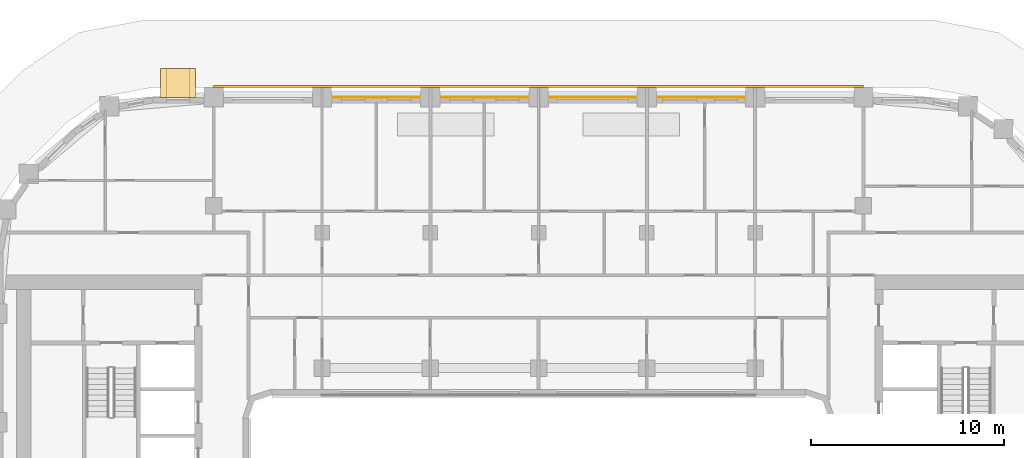
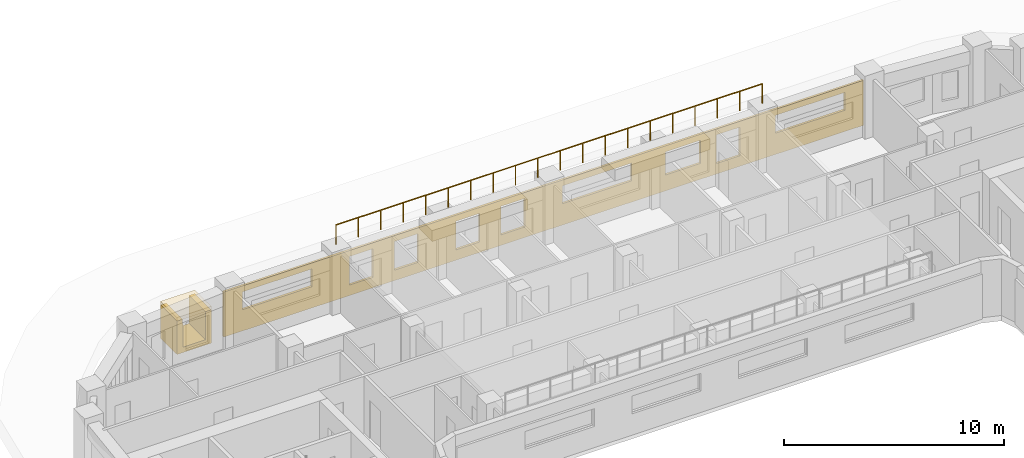
# One storey, part 16 of 17: 3 coverings, 1 railing.
"""IFC4 building model written with IfcOpenShell, lengths in metres."""

from ifc_helpers import new_model, si_unit, direction, frame, origin, origin_2d, place, context, subcontext, project, spatial, polyline, rectangle, circle, outline, extrude, material, layer, layer_set, type_object, element, save


model = new_model("IFC4")

# Units and contexts
model_context = context("Model", 3, precision=1e-05, world=origin(), true_north=direction((0.0, 1.0)))
body_context = subcontext(model_context, "Body", "Model", "MODEL_VIEW")
ifc_project = project(units=[si_unit("LENGTHUNIT", "METRE"), si_unit("AREAUNIT", "SQUARE_METRE"), si_unit("VOLUMEUNIT", "CUBIC_METRE"), si_unit("PLANEANGLEUNIT", "RADIAN"), si_unit("MASSUNIT", "GRAM", prefix="KILO")], contexts=[model_context])

# Site, building, storey
site_placement = place(None, origin())
site = spatial("IfcSite", under=ifc_project, at=site_placement, CompositionType="ELEMENT")
building_placement = place(site_placement, origin())
building = spatial("IfcBuilding", under=site, at=building_placement, Name="Kiln Ring Residences", CompositionType="ELEMENT")
storey_placement = place(building_placement, frame((0.0, 0.0, 174.60009765625)))
storey = spatial("IfcBuildingStorey", under=building, at=storey_placement, Name="L45", CompositionType="ELEMENT", Elevation=174.60009765625)

# Coverings
ifc_material_1 = material(Name="Brick masonry, dark clay brick", Category="masonry")
ifc_layer_1 = layer(ifc_material_1, 0.300048828125)
ifc_layer_set_1 = layer_set([ifc_layer_1], Name="FRAME CHEEKS AND SILL 1500")
covering_type_1 = type_object("IfcCoveringType", Name="FRAME CHEEKS AND SILL 1500", PredefinedType="CLADDING", material=ifc_layer_set_1)
covering_1_placement = place(storey_placement, frame((-17.75, 23.14990234375, 0.2998046875), z_axis=(0.0, 0.0, 1.0), x_axis=(-1.0, 0.0, 0.0)))
element("IfcCovering", 1, at=covering_1_placement, inside=storey, type_object=covering_type_1, Name="FRAME L45", PredefinedType="CLADDING", context=body_context, shape_type="SweptSolid", body=[
    extrude(outline(polyline([(0.0, 0.0), (1.800048828125, 0.0), (1.800048828125, 1.85009765625), (1.5009765625, 1.85009765625), (1.5, 0.300048828125), (0.300048828125, 0.300048828125), (0.299072265625, 1.85009765625), (0.0, 1.85009765625), (0.0, 0.0)])), frame((0.0, 0.75, 0.0), z_axis=(0.0, -1.0, 0.0), x_axis=(1.0, 0.0, 0.0)), (0.0, 0.0, 1.0), 1.5),
])
ifc_material_2 = material(Name="Brick masonry, dark clay brick", Category="masonry")
ifc_layer_2 = layer(ifc_material_2, 0.199951171875)
ifc_layer_set_2 = layer_set([ifc_layer_2], Name="FRAME HEAD 1500")
covering_type_2 = type_object("IfcCoveringType", Name="FRAME HEAD 1500", PredefinedType="CLADDING", material=ifc_layer_set_2)
covering_2_placement = place(storey_placement, frame((-18.64990234375, 23.14990234375, 2.14990234375), z_axis=(0.0, 0.0, 1.0), x_axis=(-1.0, 0.0, 0.0)))
element("IfcCovering", 2, at=covering_2_placement, inside=storey, type_object=covering_type_2, Name="FRAME HEAD L45", PredefinedType="CLADDING", context=body_context, shape_type="SweptSolid", body=[
    extrude(rectangle(XDim=1.800048828125, YDim=1.5, at=origin_2d()), origin(), (0.0, 0.0, 1.0), 0.199951171875),
])
ifc_material_3 = material(Name="Brick masonry, dark clay brick", Category="masonry")
ifc_layer_3 = layer(ifc_material_3, 0.1201171875)
ifc_layer_set_3 = layer_set([ifc_layer_3], Name="RAINSCREEN PANEL 120")
covering_type_3 = type_object("IfcCoveringType", Name="RAINSCREEN PANEL 120", PredefinedType="CLADDING", material=ifc_layer_set_3)
covering_3_placement = place(storey_placement, frame((16.800048828125, 22.9599609375, 0.0), z_axis=(0.0, 0.0, 1.0), x_axis=(-1.0, 0.0, 0.0)))
element("IfcCovering", 3, at=covering_3_placement, inside=storey, type_object=covering_type_3, Name="RAINSCREEN L45", PredefinedType="CLADDING", context=body_context, shape_type="SweptSolid", body=[
    extrude(outline(polyline([(0.0, 0.0), (33.60009765625, 0.0), (33.60009765625, 2.5), (0.0, 2.5), (0.0, 0.0)]), holes=[polyline([(6.492431640625, 0.579833984375), (7.732421875, 0.579833984375), (7.732421875, 2.169921875), (6.492431640625, 2.169921875), (6.492431640625, 0.579833984375)]), polyline([(17.79248046875, 0.579833984375), (19.032470703125, 0.579833984375), (19.032470703125, 2.169921875), (17.79248046875, 2.169921875), (17.79248046875, 0.579833984375)]), polyline([(20.16748046875, 0.579833984375), (21.407470703125, 0.579833984375), (21.407470703125, 2.169921875), (20.16748046875, 2.169921875), (20.16748046875, 0.579833984375)]), polyline([(23.392578125, 0.579833984375), (24.632568359375, 0.579833984375), (24.632568359375, 2.169921875), (23.392578125, 2.169921875), (23.392578125, 0.579833984375)]), polyline([(25.767578125, 0.579833984375), (27.007568359375, 0.579833984375), (27.007568359375, 2.169921875), (25.767578125, 2.169921875), (25.767578125, 0.579833984375)]), polyline([(8.5673828125, 0.8798828125), (10.407470703125, 0.8798828125), (10.407470703125, 2.169921875), (8.5673828125, 2.169921875), (8.5673828125, 0.8798828125)]), polyline([(0.97998046875, 1.179931640625), (4.6201171875, 1.179931640625), (4.6201171875, 2.169921875), (0.97998046875, 2.169921875), (0.97998046875, 1.179931640625)]), polyline([(12.179931640625, 2.169921875), (12.179931640625, 1.179931640625), (15.820068359375, 1.179931640625), (15.820068359375, 2.169921875), (12.179931640625, 2.169921875)]), polyline([(28.97998046875, 2.169921875), (28.97998046875, 1.179931640625), (32.6201171875, 1.179931640625), (32.6201171875, 2.169921875), (28.97998046875, 2.169921875)])]), frame((0.0, 0.06005859375, 0.0), z_axis=(0.0, -1.0, 0.0), x_axis=(1.0, 0.0, 0.0)), (0.0, 0.0, 1.0), 0.1201171875),
])

# Railing
ifc_material_4 = material(Name="Black powder-coated steel", Category="steel")
railing_type = type_object("IfcRailingType", Name="ROOF GUARD 1100", PredefinedType="GUARDRAIL", material=ifc_material_4)
railing_placement = place(storey_placement, frame((11.199951171875, 22.39990234375, 3.5)))
element("IfcRailing", 4, at=railing_placement, inside=storey, type_object=railing_type, Name="GUARD L45 sky portal terrace", PredefinedType="GUARDRAIL", context=body_context, shape_type="SweptSolid", body=[
    extrude(circle(Radius=0.02392578125, at=origin_2d()), frame((0.0, 0.0, 1.076171875), z_axis=(-1.0, 0.0, 0.0), x_axis=(0.0, -1.0, 0.0)), (0.0, 0.0, 1.0), 22.39990234375),
    extrude(circle(Radius=0.02099609375, at=origin_2d()), origin(), (0.0, 0.0, 1.0), 1.052001953125),
    extrude(circle(Radius=0.02099609375, at=origin_2d()), frame((-1.178955078125, 0.0, 0.0)), (0.0, 0.0, 1.0), 1.052001953125),
    extrude(circle(Radius=0.02099609375, at=origin_2d()), frame((-2.35791015625, 0.0, 0.0)), (0.0, 0.0, 1.0), 1.052001953125),
    extrude(circle(Radius=0.02099609375, at=origin_2d()), frame((-3.536865234375, 0.0, 0.0)), (0.0, 0.0, 1.0), 1.052001953125),
    extrude(circle(Radius=0.02099609375, at=origin_2d()), frame((-4.7158203125, 0.0, 0.0)), (0.0, 0.0, 1.0), 1.052001953125),
    extrude(circle(Radius=0.02099609375, at=origin_2d()), frame((-5.894775390625, 0.0, 0.0)), (0.0, 0.0, 1.0), 1.052001953125),
    extrude(circle(Radius=0.02099609375, at=origin_2d()), frame((-7.07373046875, 0.0, 0.0)), (0.0, 0.0, 1.0), 1.052001953125),
    extrude(circle(Radius=0.02099609375, at=origin_2d()), frame((-8.252685546875, 0.0, 0.0)), (0.0, 0.0, 1.0), 1.052001953125),
    extrude(circle(Radius=0.02099609375, at=origin_2d()), frame((-9.431640625, 0.0, 0.0)), (0.0, 0.0, 1.0), 1.052001953125),
    extrude(circle(Radius=0.02099609375, at=origin_2d()), frame((-10.610595703125, 0.0, 0.0)), (0.0, 0.0, 1.0), 1.052001953125),
    extrude(circle(Radius=0.02099609375, at=origin_2d()), frame((-11.789306640625, 0.0, 0.0)), (0.0, 0.0, 1.0), 1.052001953125),
    extrude(circle(Radius=0.02099609375, at=origin_2d()), frame((-12.96826171875, 0.0, 0.0)), (0.0, 0.0, 1.0), 1.052001953125),
    extrude(circle(Radius=0.02099609375, at=origin_2d()), frame((-14.147216796875, 0.0, 0.0)), (0.0, 0.0, 1.0), 1.052001953125),
    extrude(circle(Radius=0.02099609375, at=origin_2d()), frame((-15.326171875, 0.0, 0.0)), (0.0, 0.0, 1.0), 1.052001953125),
    extrude(circle(Radius=0.02099609375, at=origin_2d()), frame((-16.505126953125, 0.0, 0.0)), (0.0, 0.0, 1.0), 1.052001953125),
    extrude(circle(Radius=0.02099609375, at=origin_2d()), frame((-17.68408203125, 0.0, 0.0)), (0.0, 0.0, 1.0), 1.052001953125),
    extrude(circle(Radius=0.02099609375, at=origin_2d()), frame((-18.863037109375, 0.0, 0.0)), (0.0, 0.0, 1.0), 1.052001953125),
    extrude(circle(Radius=0.02099609375, at=origin_2d()), frame((-20.0419921875, 0.0, 0.0)), (0.0, 0.0, 1.0), 1.052001953125),
    extrude(circle(Radius=0.02099609375, at=origin_2d()), frame((-21.220947265625, 0.0, 0.0)), (0.0, 0.0, 1.0), 1.052001953125),
    extrude(circle(Radius=0.02099609375, at=origin_2d()), frame((-22.39990234375, 0.0, 0.0)), (0.0, 0.0, 1.0), 1.052001953125),
])

save(model, "model.ifc")
